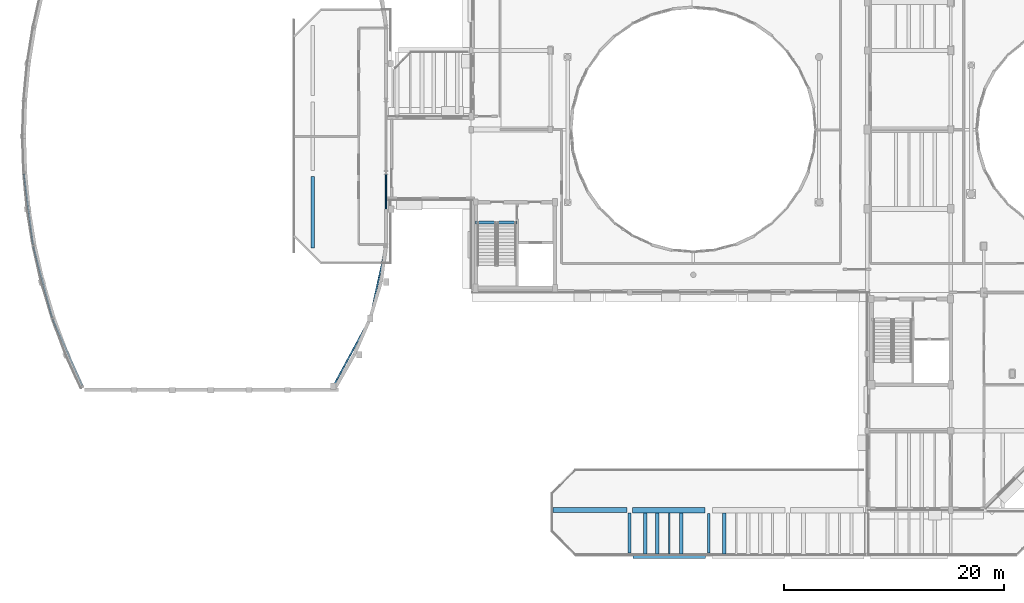
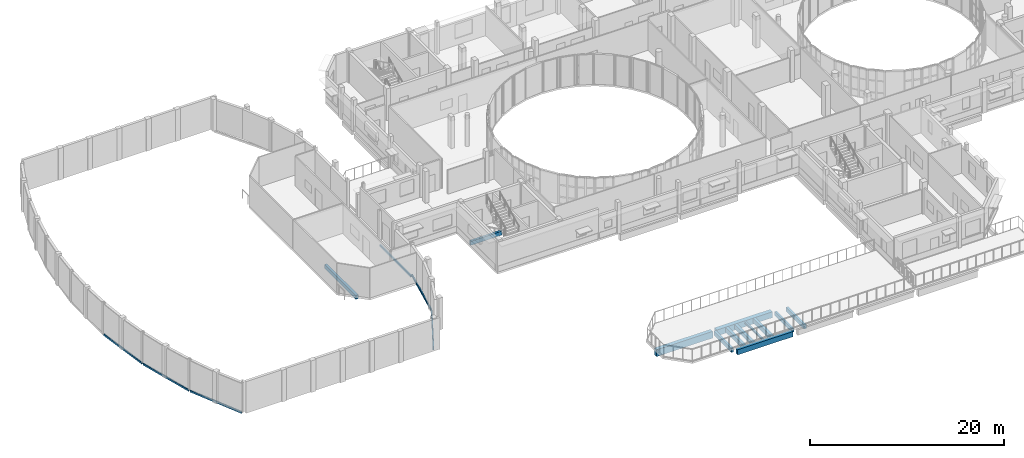
# One storey, part 17 of 92: 18 beams.
"""IFC4 building model written with IfcOpenShell, lengths in metres."""

from ifc_helpers import new_model, si_unit, direction, frame, origin, origin_2d, place, context, subcontext, project, spatial, rectangle, hollow_rectangle, i_section, extrude, material, material_profile, profile_set, type_object, element, save


model = new_model("IFC4")

# Units and contexts
model_context = context("Model", 3, precision=1e-05, world=origin(), true_north=direction((0.0, 1.0)))
body_context = subcontext(model_context, "Body", "Model", "MODEL_VIEW")
ifc_project = project(units=[si_unit("LENGTHUNIT", "METRE"), si_unit("AREAUNIT", "SQUARE_METRE"), si_unit("VOLUMEUNIT", "CUBIC_METRE"), si_unit("PLANEANGLEUNIT", "RADIAN"), si_unit("MASSUNIT", "GRAM", prefix="KILO")], contexts=[model_context])

# Site, building, storey
site_placement = place(None, origin())
site = spatial("IfcSite", under=ifc_project, at=site_placement, CompositionType="ELEMENT")
building_placement = place(site_placement, origin())
building = spatial("IfcBuilding", under=site, at=building_placement, Name="Kelanivale Promenade Academy", CompositionType="ELEMENT")
storey_placement = place(building_placement, frame((0.0, 0.0, 8.199951171875)))
storey = spatial("IfcBuildingStorey", under=building, at=storey_placement, Name="L02", CompositionType="ELEMENT", Elevation=8.199951171875)

# Beams
ifc_material_1 = material(Name="Concrete C35/45", Category="concrete")
ifc_material_profile_1 = material_profile(ifc_material_1, rectangle(XDim=0.39990234375, YDim=0.64990234375, at=origin_2d()), Name="RC-BM 400x650")
ifc_profile_set_1 = profile_set([ifc_material_profile_1], Name="Concrete C35/45")
beam_type_1 = type_object("IfcBeamType", Name="BM-01 RC-BM 400x650", PredefinedType="BEAM", material=ifc_profile_set_1)
beam_1_placement = place(storey_placement, frame((57.919921875, 18.0, -0.56005859375), z_axis=(1.0, 0.0, 0.0), x_axis=(0.0, 1.0, 0.0)))
element("IfcBeam", 1, at=beam_1_placement, inside=storey, type_object=beam_type_1, Name="L02 girder BM-01", PredefinedType="BEAM", context=body_context, shape_type="SweptSolid", body=[
    extrude(rectangle(XDim=0.39990234375, YDim=0.64990234375, at=origin_2d()), origin(), (0.0, 0.0, 1.0), 6.5849609375),
])
ifc_material_profile_2 = material_profile(ifc_material_1, rectangle(XDim=0.449951171875, YDim=0.85009765625, at=origin_2d()), Name="RC-BM 450x850")
ifc_profile_set_2 = profile_set([ifc_material_profile_2], Name="Concrete C35/45")
beam_type_2 = type_object("IfcBeamType", Name="BM-05 RC-BM 450x850", PredefinedType="BEAM", material=ifc_profile_set_2)
beam_2_placement = place(storey_placement, frame((50.64501953125, 22.199951171875, -0.659912109375), z_axis=(1.0, 0.0, 0.0), x_axis=(0.0, 1.0, 0.0)))
element("IfcBeam", 2, at=beam_2_placement, inside=storey, type_object=beam_type_2, Name="L02 girder BM-05", PredefinedType="BEAM", context=body_context, shape_type="SweptSolid", body=[
    extrude(rectangle(XDim=0.449951171875, YDim=0.85009765625, at=origin_2d()), origin(), (0.0, 0.0, 1.0), 6.7099609375),
])
ifc_material_profile_3 = material_profile(ifc_material_1, rectangle(XDim=0.5, YDim=0.75, at=origin_2d()), Name="RC-BM 500x750")
ifc_profile_set_3 = profile_set([ifc_material_profile_3], Name="Concrete C35/45")
beam_type_3 = type_object("IfcBeamType", Name="BM-06 RC-BM 500x750", PredefinedType="BEAM", material=ifc_profile_set_3)
beam_3_placement = place(storey_placement, frame((57.844970703125, 22.199951171875, -0.60986328125), z_axis=(1.0, 0.0, 0.0), x_axis=(0.0, 1.0, 0.0)))
element("IfcBeam", 3, at=beam_3_placement, inside=storey, type_object=beam_type_3, Name="L02 girder BM-06", PredefinedType="BEAM", context=body_context, shape_type="SweptSolid", body=[
    extrude(rectangle(XDim=0.5, YDim=0.75, at=origin_2d()), origin(), (0.0, 0.0, 1.0), 6.635009765625),
])
ifc_material_profile_4 = material_profile(ifc_material_1, rectangle(XDim=0.300048828125, YDim=0.5, at=origin_2d()), Name="RC-BM 300x500")
ifc_profile_set_4 = profile_set([ifc_material_profile_4], Name="Concrete C35/45")
beam_type_4 = type_object("IfcBeamType", Name="JS-01 RC-BM 300x500", PredefinedType="JOIST", material=ifc_profile_set_4)
beam_4_placement = place(storey_placement, frame((28.800048828125, 46.044921875, -0.514892578125), z_axis=(0.0, 1.0, 0.0), x_axis=(-1.0, 0.0, 0.0)))
element("IfcBeam", 4, at=beam_4_placement, inside=storey, type_object=beam_type_4, Name="L02 beam JS-01", PredefinedType="JOIST", context=body_context, shape_type="SweptSolid", body=[
    extrude(rectangle(XDim=0.300048828125, YDim=0.5, at=origin_2d()), origin(), (0.0, 0.0, 1.0), 6.485107421875),
])
beam_5_placement = place(storey_placement, frame((66.212890625, 18.199951171875, -0.48486328125), z_axis=(0.0, 1.0, 0.0), x_axis=(-1.0, 0.0, 0.0)))
element("IfcBeam", 5, at=beam_5_placement, inside=storey, type_object=beam_type_4, Name="L02 secondary sub-beam JS-01", PredefinedType="JOIST", context=body_context, shape_type="SweptSolid", body=[
    extrude(rectangle(XDim=0.300048828125, YDim=0.5, at=origin_2d()), origin(), (0.0, 0.0, 1.0), 3.75),
])
ifc_material_profile_5 = material_profile(ifc_material_1, rectangle(XDim=0.300048828125, YDim=0.60009765625, at=origin_2d()), Name="RC-BM 300x600")
ifc_profile_set_5 = profile_set([ifc_material_profile_5], Name="Concrete C35/45")
beam_type_5 = type_object("IfcBeamType", Name="JS-03 RC-BM 300x600", PredefinedType="JOIST", material=ifc_profile_set_5)
beam_6_placement = place(storey_placement, frame((59.012939453125, 18.199951171875, -0.534912109375), z_axis=(0.0, 1.0, 0.0), x_axis=(-1.0, 0.0, 0.0)))
element("IfcBeam", 6, at=beam_6_placement, inside=storey, type_object=beam_type_5, Name="L02 secondary sub-beam JS-03", PredefinedType="JOIST", context=body_context, shape_type="SweptSolid", body=[
    extrude(rectangle(XDim=0.300048828125, YDim=0.60009765625, at=origin_2d()), origin(), (0.0, 0.0, 1.0), 3.75),
])
ifc_material_profile_6 = material_profile(ifc_material_1, rectangle(XDim=0.320068359375, YDim=0.550048828125, at=origin_2d()), Name="RC-BM 320x550")
ifc_profile_set_6 = profile_set([ifc_material_profile_6], Name="Concrete C35/45")
beam_type_6 = type_object("IfcBeamType", Name="JS-04 RC-BM 320x550", PredefinedType="JOIST", material=ifc_profile_set_6)
beam_7_placement = place(storey_placement, frame((60.10693359375, 18.199951171875, -0.510009765625), z_axis=(0.0, 1.0, 0.0), x_axis=(-1.0, 0.0, 0.0)))
element("IfcBeam", 7, at=beam_7_placement, inside=storey, type_object=beam_type_6, Name="L02 secondary sub-beam JS-04", PredefinedType="JOIST", context=body_context, shape_type="SweptSolid", body=[
    extrude(rectangle(XDim=0.320068359375, YDim=0.550048828125, at=origin_2d()), origin(), (0.0, 0.0, 1.0), 3.75),
])
ifc_material_profile_7 = material_profile(ifc_material_1, rectangle(XDim=0.35009765625, YDim=0.550048828125, at=origin_2d()), Name="RC-BM 350x550")
ifc_profile_set_7 = profile_set([ifc_material_profile_7], Name="Concrete C35/45")
beam_type_7 = type_object("IfcBeamType", Name="JS-06 RC-BM 350x550", PredefinedType="JOIST", material=ifc_profile_set_7)
beam_8_placement = place(storey_placement, frame((62.29296875, 18.199951171875, -0.510009765625), z_axis=(0.0, 1.0, 0.0), x_axis=(-1.0, 0.0, 0.0)))
element("IfcBeam", 8, at=beam_8_placement, inside=storey, type_object=beam_type_7, Name="L02 secondary sub-beam JS-06", PredefinedType="JOIST", context=body_context, shape_type="SweptSolid", body=[
    extrude(rectangle(XDim=0.35009765625, YDim=0.550048828125, at=origin_2d()), origin(), (0.0, 0.0, 1.0), 3.75),
])
ifc_material_profile_8 = material_profile(ifc_material_1, rectangle(XDim=0.25, YDim=0.5, at=origin_2d()), Name="RC-BM 250x500")
ifc_profile_set_8 = profile_set([ifc_material_profile_8], Name="Concrete C35/45")
beam_type_8 = type_object("IfcBeamType", Name="LN-02 RC-BM 250x500", PredefinedType="LINTEL", material=ifc_profile_set_8)
beam_9_placement = place(storey_placement, frame((57.60009765625, 18.320068359375, -0.48486328125), z_axis=(0.0, 1.0, 0.0), x_axis=(-1.0, 0.0, 0.0)))
element("IfcBeam", 9, at=beam_9_placement, inside=storey, type_object=beam_type_8, Name="L02 beam LN-02", PredefinedType="LINTEL", context=body_context, shape_type="SweptSolid", body=[
    extrude(rectangle(XDim=0.25, YDim=0.5, at=origin_2d()), origin(), (0.0, 0.0, 1.0), 3.635009765625),
])
beam_10_placement = place(storey_placement, frame((64.800048828125, 18.294921875, -0.48486328125), z_axis=(0.0, 1.0, 0.0), x_axis=(-1.0, 0.0, 0.0)))
element("IfcBeam", 10, at=beam_10_placement, inside=storey, type_object=beam_type_8, Name="L02 beam LN-02", PredefinedType="LINTEL", context=body_context, shape_type="SweptSolid", body=[
    extrude(rectangle(XDim=0.25, YDim=0.5, at=origin_2d()), origin(), (0.0, 0.0, 1.0), 3.5849609375),
])
beam_11_placement = place(storey_placement, frame((43.60009765625, 48.344970703125, -0.25), z_axis=(1.0, 0.0, 0.0), x_axis=(0.0, 1.0, 0.0)))
element("IfcBeam", 11, at=beam_11_placement, inside=storey, type_object=beam_type_8, Name="CORE-6 stair arrival trimmer beam L02", PredefinedType="LINTEL", context=body_context, shape_type="SweptSolid", body=[
    extrude(rectangle(XDim=0.25, YDim=0.5, at=origin_2d()), origin(), (0.0, 0.0, 1.0), 3.77490234375),
])
ifc_material_2 = material(Name="Steel S355", Category="steel")
ifc_material_profile_9 = material_profile(ifc_material_2, i_section(OverallWidth=0.1650390625, OverallDepth=0.303466796875, WebThickness=0.006103515625, FlangeThickness=0.01025390625, FilletRadius=0.0087890625, at=origin_2d()), Name="UB 305x165x40")
ifc_profile_set_9 = profile_set([ifc_material_profile_9], Name="Steel S355")
beam_type_9 = type_object("IfcBeamType", Name="SB-03 UB 305x165x40", PredefinedType="BEAM", material=ifc_profile_set_9)
beam_12_placement = place(storey_placement, frame((61.199951171875, 18.199951171875, -0.386962890625), z_axis=(0.0, 1.0, 0.0), x_axis=(-1.0, 0.0, 0.0)))
element("IfcBeam", 12, at=beam_12_placement, inside=storey, type_object=beam_type_9, Name="L02 secondary sub-beam SB-03", PredefinedType="BEAM", context=body_context, shape_type="SweptSolid", body=[
    extrude(i_section(OverallWidth=0.1650390625, OverallDepth=0.303466796875, WebThickness=0.006103515625, FlangeThickness=0.01025390625, FilletRadius=0.0087890625, at=origin_2d()), origin(), (0.0, 0.0, 1.0), 3.75),
])
ifc_material_profile_10 = material_profile(ifc_material_2, hollow_rectangle(XDim=0.14990234375, YDim=0.25, WallThickness=0.010009765625, InnerFilletRadius=0.010009765625, OuterFilletRadius=0.02001953125, at=origin_2d()), Name="RHS 250x150x10.0")
ifc_profile_set_10 = profile_set([ifc_material_profile_10], Name="Steel S355")
beam_type_10 = type_object("IfcBeamType", Name="SB-13 RHS 250x150x10.0", PredefinedType="SPANDREL", material=ifc_profile_set_10)
beam_13_placement = place(storey_placement, frame((7.821044921875, 33.541015625, -0.125), z_axis=(-0.406593934051, 0.913608982439, 0.0), x_axis=(-0.913608982439, -0.406593934051, 0.0)))
element("IfcBeam", 13, at=beam_13_placement, inside=storey, type_object=beam_type_10, Name="Sports Hall Crescent Pavilion curved ring beam SB-13", PredefinedType="SPANDREL", context=body_context, shape_type="SweptSolid", body=[
    extrude(hollow_rectangle(XDim=0.14990234375, YDim=0.25, WallThickness=0.010009765625, InnerFilletRadius=0.010009765625, OuterFilletRadius=0.02001953125, at=origin_2d()), origin(), (0.0, 0.0, 1.0), 6.564208984375),
])
beam_14_placement = place(storey_placement, frame((30.697998046875, 33.5380859375, -0.125), z_axis=(0.476545748285, 0.879149674283, 0.0), x_axis=(-0.879149674283, 0.476545748285, 0.0)))
element("IfcBeam", 14, at=beam_14_placement, inside=storey, type_object=beam_type_10, Name="Sports Hall Crescent Pavilion inner kidney ring beam SB-13", PredefinedType="SPANDREL", context=body_context, shape_type="SweptSolid", body=[
    extrude(hollow_rectangle(XDim=0.14990234375, YDim=0.25, WallThickness=0.010009765625, InnerFilletRadius=0.010009765625, OuterFilletRadius=0.02001953125, at=origin_2d()), origin(), (0.0, 0.0, 1.0), 6.828125),
])
beam_15_placement = place(storey_placement, frame((5.0849609375, 39.72607421875, -0.125), z_axis=(-0.255453887547, 0.966821240632, 0.0), x_axis=(-0.966821240632, -0.255453887547, 0.0)))
element("IfcBeam", 15, at=beam_15_placement, inside=storey, type_object=beam_type_10, Name="Sports Hall Crescent Pavilion curved ring beam SB-13", PredefinedType="SPANDREL", context=body_context, shape_type="SweptSolid", body=[
    extrude(hollow_rectangle(XDim=0.14990234375, YDim=0.25, WallThickness=0.010009765625, InnerFilletRadius=0.010009765625, OuterFilletRadius=0.02001953125, at=origin_2d()), origin(), (0.0, 0.0, 1.0), 6.654541015625),
])
beam_16_placement = place(storey_placement, frame((34.02099609375, 39.72705078125, -0.125), z_axis=(0.213839528573, 0.976868801846, 0.0), x_axis=(-0.976868801846, 0.213839528573, 0.0)))
element("IfcBeam", 16, at=beam_16_placement, inside=storey, type_object=beam_type_10, Name="Sports Hall Crescent Pavilion inner kidney ring beam SB-13", PredefinedType="SPANDREL", context=body_context, shape_type="SweptSolid", body=[
    extrude(hollow_rectangle(XDim=0.14990234375, YDim=0.25, WallThickness=0.010009765625, InnerFilletRadius=0.010009765625, OuterFilletRadius=0.02001953125, at=origin_2d()), origin(), (0.0, 0.0, 1.0), 6.584228515625),
])
beam_17_placement = place(storey_placement, frame((3.345947265625, 46.35595703125, -0.125), z_axis=(-0.12752809224, 0.991834958897, 0.0), x_axis=(-0.991834958897, -0.12752809224, 0.0)))
element("IfcBeam", 17, at=beam_17_placement, inside=storey, type_object=beam_type_10, Name="Sports Hall Crescent Pavilion curved ring beam SB-13", PredefinedType="SPANDREL", context=body_context, shape_type="SweptSolid", body=[
    extrude(hollow_rectangle(XDim=0.14990234375, YDim=0.25, WallThickness=0.010009765625, InnerFilletRadius=0.010009765625, OuterFilletRadius=0.02001953125, at=origin_2d()), origin(), (0.0, 0.0, 1.0), 6.484130859375),
])
beam_18_placement = place(storey_placement, frame((35.449951171875, 46.35693359375, -0.389892578125), z_axis=(0.0, 1.0, 0.0), x_axis=(-1.0, 0.0, 0.0)))
element("IfcBeam", 18, at=beam_18_placement, inside=storey, type_object=beam_type_10, Name="Sports Hall Crescent Pavilion inner kidney ring beam SB-13", PredefinedType="SPANDREL", context=body_context, shape_type="SweptSolid", body=[
    extrude(hollow_rectangle(XDim=0.14990234375, YDim=0.25, WallThickness=0.010009765625, InnerFilletRadius=0.010009765625, OuterFilletRadius=0.02001953125, at=origin_2d()), origin(), (0.0, 0.0, 1.0), 6.428955078125),
])

save(model, "model.ifc")
